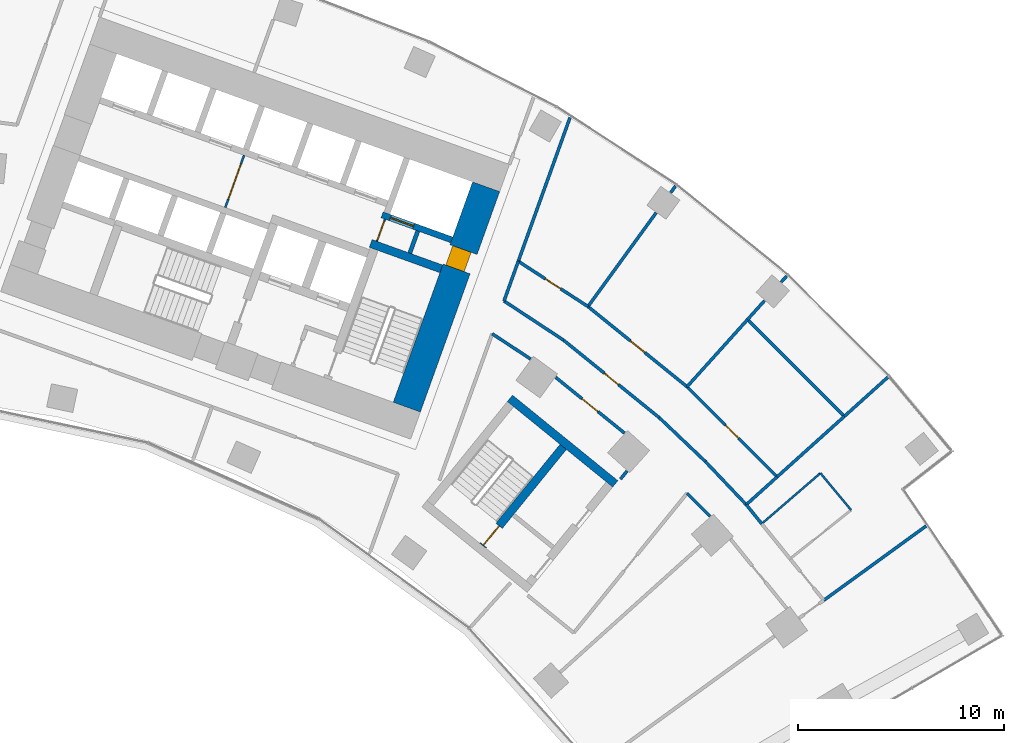
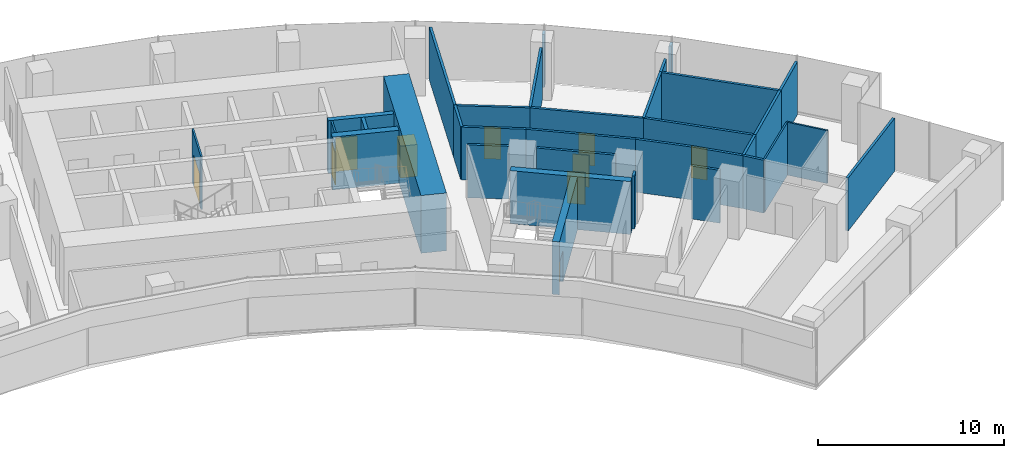
# One storey, part 17 of 20: 34 walls, 10 doors, 10 openings.
"""IFC4 building model written with IfcOpenShell, lengths in metres."""

from ifc_helpers import new_model, si_unit, direction, frame, frame_2d, origin, place, context, subcontext, project, spatial, rectangle, extrude, material, layer, layer_set, type_object, element, fill, save


model = new_model("IFC4")

# Units and contexts
model_context = context("Model", 3, precision=1e-05, world=origin(), true_north=direction((0.0, 1.0)))
body_context = subcontext(model_context, "Body", "Model", "MODEL_VIEW")
ifc_project = project(units=[si_unit("LENGTHUNIT", "METRE"), si_unit("AREAUNIT", "SQUARE_METRE"), si_unit("VOLUMEUNIT", "CUBIC_METRE"), si_unit("PLANEANGLEUNIT", "RADIAN"), si_unit("MASSUNIT", "GRAM", prefix="KILO")], contexts=[model_context])

# Site, building, storey
site_placement = place(None, origin())
site = spatial("IfcSite", under=ifc_project, at=site_placement, CompositionType="ELEMENT")
building_placement = place(site_placement, origin())
building = spatial("IfcBuilding", under=site, at=building_placement, Name="Stone Belt Terrace Tower", CompositionType="ELEMENT")
storey_placement = place(building_placement, frame((0.0, 0.0, 102.199951171875)))
storey = spatial("IfcBuildingStorey", under=building, at=storey_placement, Name="L24", CompositionType="ELEMENT", Elevation=102.199951171875)

# Wall, opening, door
ifc_material_1 = material(Name="Plasterboard partition")
ifc_layer_1 = layer(ifc_material_1, 0.10009765625)
ifc_layer_set_1 = layer_set([ifc_layer_1], Name="Core partition 100")
wall_type_1 = type_object("IfcWallType", Name="Core partition 100", PredefinedType="PARTITIONING", material=ifc_layer_set_1)
wall_1_placement = place(storey_placement, frame((24.555908203125, 51.10400390625, 0.0), z_axis=(0.0, 0.0, 1.0), x_axis=(0.338621735342, 0.94092258999, 0.0)))
wall_1 = element("IfcWall", 1, at=wall_1_placement, inside=storey, type_object=wall_type_1, Name="Core B wall", PredefinedType="PARTITIONING", context=body_context, shape_type="SweptSolid", body=[
    extrude(rectangle(XDim=1.14990234375, YDim=0.10009765625, at=frame_2d((0.574951171875, 0.0))), origin(), (0.0, 0.0, 1.0), 3.47998046875),
])
opening_1_placement = place(wall_1_placement, frame((0.050048828125, 0.0, 0.0)))
opening_1 = element("IfcOpeningElement", 2, at=opening_1_placement, cuts=wall_1, Name="Opening L24-C12", PredefinedType="OPENING", context=body_context, shape_type="SweptSolid", body=[
    extrude(rectangle(XDim=1.0, YDim=2.10009765625, at=frame_2d((0.5, 1.050048828125))), frame((0.0, 0.06005859375, 0.0), z_axis=(0.0, -1.0, 0.0), x_axis=(1.0, 0.0, 0.0)), (0.0, 0.0, 1.0), 0.1201171875),
])
ifc_material_2 = material(Name="Timber door leaf", Category="wood")
door_type_1 = type_object("IfcDoorType", Name="Core room door 1000", OperationType="SINGLE_SWING_LEFT", PredefinedType="DOOR", material=ifc_material_2)
door_1_placement = place(opening_1_placement, origin())
door_1 = element("IfcDoor", 3, at=door_1_placement, inside=storey, type_object=door_type_1, Name="Service lift lobby door core B", OperationType="SINGLE_SWING_RIGHT", OverallHeight=2.10009765625, OverallWidth=1.0, PredefinedType="DOOR", context=body_context, shape_type="SweptSolid", body=[
    extrude(rectangle(XDim=1.0, YDim=2.10009765625, at=frame_2d((0.5, 1.050048828125))), frame((0.0, 0.02490234375, 0.0), z_axis=(0.0, -1.0, 0.0), x_axis=(1.0, 0.0, 0.0)), (0.0, 0.0, 1.0), 0.050048828125),
])
fill(opening_1, door_1)

wall_2_placement = place(storey_placement, frame((17.17724609375, 52.749755859375, 0.0), z_axis=(0.0, 0.0, 1.0), x_axis=(0.338546555931, 0.940949642365, 0.0)))
wall_2 = element("IfcWall", 4, at=wall_2_placement, inside=storey, type_object=wall_type_1, Name="Core B wall", PredefinedType="PARTITIONING", context=body_context, shape_type="SweptSolid", body=[
    extrude(rectangle(XDim=2.699951171875, YDim=0.10009765625, at=frame_2d((1.35009765625, 0.0))), origin(), (0.0, 0.0, 1.0), 3.47998046875),
])
opening_2_placement = place(wall_2_placement, frame((0.449951171875, 0.0, 0.0)))
opening_2 = element("IfcOpeningElement", 5, at=opening_2_placement, cuts=wall_2, Name="Opening L24-C13", PredefinedType="OPENING", context=body_context, shape_type="SweptSolid", body=[
    extrude(rectangle(XDim=1.800048828125, YDim=2.10009765625, at=frame_2d((0.89990234375, 1.050048828125))), frame((0.0, 0.06005859375, 0.0), z_axis=(0.0, -1.0, 0.0), x_axis=(1.0, 0.0, 0.0)), (0.0, 0.0, 1.0), 0.1201171875),
])
ifc_material_3 = material(Name="Glazed aluminium door leaf", Category="aluminium")
door_type_2 = type_object("IfcDoorType", Name="Lift lobby entrance door 1800", OperationType="DOUBLE_DOOR_SINGLE_SWING", PredefinedType="DOOR", material=ifc_material_3)
door_2_placement = place(opening_2_placement, origin())
door_2 = element("IfcDoor", 6, at=door_2_placement, inside=storey, type_object=door_type_2, Name="Lift lobby double door core B", OperationType="DOUBLE_DOOR_SINGLE_SWING", OverallHeight=2.10009765625, OverallWidth=1.800048828125, PredefinedType="DOOR", context=body_context, shape_type="SweptSolid", body=[
    extrude(rectangle(XDim=1.800048828125, YDim=2.10009765625, at=frame_2d((0.89990234375, 1.050048828125))), frame((0.0, 0.02490234375, 0.0), z_axis=(0.0, -1.0, 0.0), x_axis=(1.0, 0.0, 0.0)), (0.0, 0.0, 1.0), 0.050048828125),
])
fill(opening_2, door_2)

ifc_material_4 = material(Name="Concrete B80", Category="concrete")
ifc_layer_2 = layer(ifc_material_4, 1.39990234375)
ifc_layer_set_2 = layer_set([ifc_layer_2], Name="Core wall 1400 B80")
wall_type_2 = type_object("IfcWallType", Name="Core wall 1400 B80", PredefinedType="SHEAR", material=ifc_layer_set_2)
wall_3_placement = place(storey_placement, frame((26.00927734375, 43.03515625, 0.0), z_axis=(0.0, 0.0, 1.0), x_axis=(0.338625431531, 0.940921259788, 0.0)))
wall_3 = element("IfcWall", 7, at=wall_3_placement, inside=storey, type_object=wall_type_2, Name="Core B wall end_b L24", PredefinedType="SHEAR", context=body_context, shape_type="SweptSolid", body=[
    extrude(rectangle(XDim=11.400146484375, YDim=1.39990234375, at=frame_2d((5.7001953125, 0.0))), origin(), (0.0, 0.0, 1.0), 3.800048828125),
])
opening_3_placement = place(wall_3_placement, frame((7.14990234375, 0.0, 0.0)))
opening_3 = element("IfcOpeningElement", 8, at=opening_3_placement, cuts=wall_3, Name="Opening L24-C11", PredefinedType="OPENING", context=body_context, shape_type="SweptSolid", body=[
    extrude(rectangle(XDim=1.0, YDim=2.10009765625, at=frame_2d((0.5, 1.050048828125))), frame((0.0, 0.7099609375, 0.0), z_axis=(0.0, -1.0, 0.0), x_axis=(1.0, 0.0, 0.0)), (0.0, 0.0, 1.0), 1.419921875),
])
door_3_placement = place(opening_3_placement, origin())
door_3 = element("IfcDoor", 9, at=door_3_placement, inside=storey, type_object=door_type_1, Name="Door to Telecommunications riser room core B", OperationType="SINGLE_SWING_LEFT", OverallHeight=2.10009765625, OverallWidth=1.0, PredefinedType="DOOR", context=body_context, shape_type="SweptSolid", body=[
    extrude(rectangle(XDim=1.0, YDim=2.10009765625, at=frame_2d((0.5, 1.050048828125))), frame((0.0, 0.55517578125, 0.0), z_axis=(0.0, -1.0, 0.0), x_axis=(1.0, 0.0, 0.0)), (0.0, 0.0, 1.0), 0.949951171875),
])
fill(opening_3, door_3)

ifc_layer_3 = layer(ifc_material_4, 0.300048828125)
ifc_layer_set_3 = layer_set([ifc_layer_3], Name="Lift shaft wall 300")
wall_type_3 = type_object("IfcWallType", Name="Lift shaft wall 300", PredefinedType="SHEAR", material=ifc_layer_set_3)
wall_4_placement = place(storey_placement, frame((28.195068359375, 51.17578125, 0.0), z_axis=(0.0, 0.0, 1.0), x_axis=(-0.940901243567, 0.338681044427, 0.0)))
wall_4 = element("IfcWall", 10, at=wall_4_placement, inside=storey, type_object=wall_type_3, Name="Core B wall", PredefinedType="SHEAR", context=body_context, shape_type="SweptSolid", body=[
    extrude(rectangle(XDim=3.599853515625, YDim=0.300048828125, at=frame_2d((1.7998046875, 0.0))), origin(), (0.0, 0.0, 1.0), 3.47998046875),
])
opening_4_placement = place(wall_4_placement, frame((1.969970703125, 0.0, 0.0)))
opening_4 = element("IfcOpeningElement", 11, at=opening_4_placement, cuts=wall_4, Name="Opening L24-LD18", PredefinedType="OPENING", context=body_context, shape_type="SweptSolid", body=[
    extrude(rectangle(XDim=1.199951171875, YDim=2.199951171875, at=frame_2d((0.60009765625, 1.10009765625))), frame((0.0, 0.159912109375, 0.0), z_axis=(0.0, -1.0, 0.0), x_axis=(1.0, 0.0, 0.0)), (0.0, 0.0, 1.0), 0.320068359375),
])
ifc_material_5 = material(Name="Stainless steel door leaf", Category="steel")
door_type_3 = type_object("IfcDoorType", Name="Landing door 1200", OperationType="SLIDING_TO_LEFT", PredefinedType="DOOR", material=ifc_material_5)
door_4_placement = place(opening_4_placement, origin())
door_4 = element("IfcDoor", 12, at=door_4_placement, inside=storey, type_object=door_type_3, Name="Landing door SV1 core B", OperationType="SLIDING_TO_LEFT", OverallHeight=2.199951171875, OverallWidth=1.199951171875, PredefinedType="DOOR", context=body_context, shape_type="SweptSolid", body=[
    extrude(rectangle(XDim=1.199951171875, YDim=2.199951171875, at=frame_2d((0.60009765625, 1.10009765625))), frame((0.0, 0.02490234375, 0.0), z_axis=(0.0, -1.0, 0.0), x_axis=(1.0, 0.0, 0.0)), (0.0, 0.0, 1.0), 0.050048828125),
])
fill(opening_4, door_4)

# Walls
ifc_material_6 = material(Name="Gypsum board partition")
ifc_layer_4 = layer(ifc_material_6, 0.10009765625)
ifc_layer_set_4 = layer_set([ifc_layer_4], Name="PARTITION 100")
wall_type_4 = type_object("IfcWallType", Name="PARTITION 100", PredefinedType="PARTITIONING", material=ifc_layer_set_4)
wall_5_placement = place(storey_placement, frame((47.6259765625, 38.029052734375, 0.0), z_axis=(0.0, 0.0, 1.0), x_axis=(-0.638805581323, 0.769368201364, 0.0)))
element("IfcWall", 13, at=wall_5_placement, inside=storey, type_object=wall_type_4, Name="L24/wall/i081", PredefinedType="PARTITIONING", context=body_context, shape_type="SweptSolid", body=[
    extrude(rectangle(XDim=2.33544921875, YDim=0.10009765625, at=frame_2d((1.167724609375, 0.0))), origin(), (0.0, 0.0, 1.0), 3.47998046875),
])
wall_6_placement = place(storey_placement, frame((46.134033203125, 39.825927734375, 0.0), z_axis=(0.0, 0.0, 1.0), x_axis=(-0.757058777307, -0.653346774464, 0.0)))
element("IfcWall", 14, at=wall_6_placement, inside=storey, type_object=wall_type_4, Name="L24/wall/i082", PredefinedType="PARTITIONING", context=body_context, shape_type="SweptSolid", body=[
    extrude(rectangle(XDim=3.771240234375, YDim=0.10009765625, at=frame_2d((1.8857421875, 0.0))), origin(), (0.0, 0.0, 1.0), 3.47998046875),
])
ifc_layer_5 = layer(ifc_material_6, 0.14990234375)
ifc_layer_set_5 = layer_set([ifc_layer_5], Name="PARTITION 150 EI 60")
wall_type_5 = type_object("IfcWallType", Name="PARTITION 150 EI 60", PredefinedType="PARTITIONING", material=ifc_layer_set_5)
wall_7_placement = place(storey_placement, frame((31.43603515625, 50.139892578125, 0.0), z_axis=(0.0, 0.0, 1.0), x_axis=(-0.338522672426, -0.940958235127, 0.0)))
element("IfcWall", 15, at=wall_7_placement, inside=storey, type_object=wall_type_5, Name="L24/wall/i022", PredefinedType="PARTITIONING", context=body_context, shape_type="SweptSolid", body=[
    extrude(rectangle(XDim=2.064697265625, YDim=0.14990234375, at=frame_2d((1.0322265625, 0.0))), origin(), (0.0, 0.0, 1.0), 3.47998046875),
])
wall_8_placement = place(storey_placement, frame((33.951904296875, 57.131103515625, 0.0), z_axis=(0.0, 0.0, 1.0), x_axis=(-0.338585885873, -0.940935490822, 0.0)))
element("IfcWall", 16, at=wall_8_placement, inside=storey, type_object=wall_type_5, Name="L24/wall/i023", PredefinedType="PARTITIONING", context=body_context, shape_type="SweptSolid", body=[
    extrude(rectangle(XDim=7.44287109375, YDim=0.14990234375, at=frame_2d((3.721435546875, 0.0))), origin(), (0.0, 0.0, 1.0), 3.47998046875),
])
wall_9_placement = place(storey_placement, frame((46.291015625, 33.632080078125, 0.0), z_axis=(0.0, 0.0, 1.0), x_axis=(0.809007988274, 0.587797647927, 0.0)))
element("IfcWall", 17, at=wall_9_placement, inside=storey, type_object=wall_type_5, Name="L24/wall/i052", PredefinedType="PARTITIONING", context=body_context, shape_type="SweptSolid", body=[
    extrude(rectangle(XDim=6.171630859375, YDim=0.14990234375, at=frame_2d((3.0859375, 0.0))), origin(), (0.0, 0.0, 1.0), 3.47998046875),
])

# Wall, opening, door
wall_10_placement = place(storey_placement, frame((36.599365234375, 41.77587890625, 0.0), z_axis=(0.0, 0.0, 1.0), x_axis=(-0.777153738144, 0.62931078752, 0.0)))
wall_10 = element("IfcWall", 18, at=wall_10_placement, inside=storey, type_object=wall_type_5, Name="L24/wall/i053", PredefinedType="PARTITIONING", context=body_context, shape_type="SweptSolid", body=[
    extrude(rectangle(XDim=4.30517578125, YDim=0.14990234375, at=frame_2d((2.152587890625, 0.0))), origin(), (0.0, 0.0, 1.0), 3.47998046875),
])
opening_5_placement = place(wall_10_placement, frame((1.652587890625, 0.0, 0.0)))
opening_5 = element("IfcOpeningElement", 19, at=opening_5_placement, cuts=wall_10, Name="Opening D-B3-17", PredefinedType="OPENING", context=body_context, shape_type="SweptSolid", body=[
    extrude(rectangle(XDim=1.0, YDim=2.10009765625, at=frame_2d((0.5, 1.050048828125))), frame((0.0, 0.0849609375, 0.0), z_axis=(0.0, -1.0, 0.0), x_axis=(1.0, 0.0, 0.0)), (0.0, 0.0, 1.0), 0.169921875),
])
ifc_material_7 = material(Name="Timber fire door leaf", Category="wood")
door_type_4 = type_object("IfcDoorType", Name="TENANCY ENTRANCE DOOR 1000 X 2100", OperationType="NOTDEFINED", PredefinedType="DOOR", material=ifc_material_7)
door_5_placement = place(opening_5_placement, origin())
door_5 = element("IfcDoor", 20, at=door_5_placement, inside=storey, type_object=door_type_4, Name="L24/door/i17", OperationType="SINGLE_SWING_RIGHT", OverallHeight=2.10009765625, OverallWidth=1.0, PredefinedType="DOOR", context=body_context, shape_type="SweptSolid", body=[
    extrude(rectangle(XDim=1.0, YDim=2.10009765625, at=frame_2d((0.5, 1.050048828125))), frame((0.0, 0.02490234375, 0.0), z_axis=(0.0, -1.0, 0.0), x_axis=(1.0, 0.0, 0.0)), (0.0, 0.0, 1.0), 0.050048828125),
])
fill(opening_5, door_5)

# Walls
wall_11_placement = place(storey_placement, frame((32.03466796875, 45.37646484375, 0.0), z_axis=(0.0, 0.0, 1.0), x_axis=(-0.835456606052, 0.549556420583, 0.0)))
element("IfcWall", 21, at=wall_11_placement, inside=storey, type_object=wall_type_5, Name="L24/wall/i054", PredefinedType="PARTITIONING", context=body_context, shape_type="SweptSolid", body=[
    extrude(rectangle(XDim=2.239013671875, YDim=0.14990234375, at=frame_2d((1.11962890625, 0.0))), origin(), (0.0, 0.0, 1.0), 3.47998046875),
])
wall_12_placement = place(storey_placement, frame((30.739013671875, 48.202880859375, 0.0), z_axis=(0.0, 0.0, 1.0), x_axis=(0.835274160171, -0.549833681535, 0.0)))
element("IfcWall", 22, at=wall_12_placement, inside=storey, type_object=wall_type_5, Name="L24/wall/i055", PredefinedType="PARTITIONING", context=body_context, shape_type="SweptSolid", body=[
    extrude(rectangle(XDim=3.46826171875, YDim=0.14990234375, at=frame_2d((1.734130859375, 0.0))), origin(), (0.0, 0.0, 1.0), 3.47998046875),
])

# Wall, opening, door
wall_13_placement = place(storey_placement, frame((33.635986328125, 46.2958984375, 0.0), z_axis=(0.0, 0.0, 1.0), x_axis=(0.777109127033, -0.629365875054, 0.0)))
wall_13 = element("IfcWall", 23, at=wall_13_placement, inside=storey, type_object=wall_type_5, Name="L24/wall/i056", PredefinedType="PARTITIONING", context=body_context, shape_type="SweptSolid", body=[
    extrude(rectangle(XDim=5.990234375, YDim=0.14990234375, at=frame_2d((2.9951171875, 0.0))), origin(), (0.0, 0.0, 1.0), 3.47998046875),
])
opening_6_placement = place(wall_13_placement, frame((2.545166015625, 0.0, 0.0)))
opening_6 = element("IfcOpeningElement", 24, at=opening_6_placement, cuts=wall_13, Name="Opening D-B3-20", PredefinedType="OPENING", context=body_context, shape_type="SweptSolid", body=[
    extrude(rectangle(XDim=0.89990234375, YDim=2.10009765625, at=frame_2d((0.449951171875, 1.050048828125))), frame((0.0, 0.0849609375, 0.0), z_axis=(0.0, -1.0, 0.0), x_axis=(1.0, 0.0, 0.0)), (0.0, 0.0, 1.0), 0.169921875),
])
door_type_5 = type_object("IfcDoorType", Name="OFFICE DOOR 900 X 2100", OperationType="NOTDEFINED", PredefinedType="DOOR", material=ifc_material_2)
door_6_placement = place(opening_6_placement, origin())
door_6 = element("IfcDoor", 25, at=door_6_placement, inside=storey, type_object=door_type_5, Name="L24/door/i20", OperationType="SINGLE_SWING_RIGHT", OverallHeight=2.10009765625, OverallWidth=0.89990234375, PredefinedType="DOOR", context=body_context, shape_type="SweptSolid", body=[
    extrude(rectangle(XDim=0.89990234375, YDim=2.10009765625, at=frame_2d((0.449951171875, 1.050048828125))), frame((0.0, 0.02490234375, 0.0), z_axis=(0.0, -1.0, 0.0), x_axis=(1.0, 0.0, 0.0)), (0.0, 0.0, 1.0), 0.050048828125),
])
fill(opening_6, door_6)

# Walls
wall_14_placement = place(storey_placement, frame((38.291015625, 42.52587890625, 0.0), z_axis=(0.0, 0.0, 1.0), x_axis=(0.724835843729, -0.688921620829, 0.0)))
element("IfcWall", 26, at=wall_14_placement, inside=storey, type_object=wall_type_5, Name="L24/wall/i057", PredefinedType="PARTITIONING", context=body_context, shape_type="SweptSolid", body=[
    extrude(rectangle(XDim=3.093017578125, YDim=0.14990234375, at=frame_2d((1.54638671875, 0.0))), origin(), (0.0, 0.0, 1.0), 3.47998046875),
])
wall_15_placement = place(storey_placement, frame((40.765625, 37.721435546875, 0.0), z_axis=(0.0, 0.0, 1.0), x_axis=(-0.707106781187, 0.707106781187, 0.0)))
element("IfcWall", 27, at=wall_15_placement, inside=storey, type_object=wall_type_5, Name="L24/wall/i058", PredefinedType="PARTITIONING", context=body_context, shape_type="SweptSolid", body=[
    extrude(rectangle(XDim=1.587646484375, YDim=0.14990234375, at=frame_2d((0.7939453125, 0.0))), origin(), (0.0, 0.0, 1.0), 3.47998046875),
])
wall_16_placement = place(storey_placement, frame((40.532958984375, 40.39501953125, 0.0), z_axis=(0.0, 0.0, 1.0), x_axis=(0.687681554755, -0.726012451167, 0.0)))
element("IfcWall", 28, at=wall_16_placement, inside=storey, type_object=wall_type_5, Name="L24/wall/i060", PredefinedType="PARTITIONING", context=body_context, shape_type="SweptSolid", body=[
    extrude(rectangle(XDim=2.89794921875, YDim=0.14990234375, at=frame_2d((1.448974609375, 0.0))), origin(), (0.0, 0.0, 1.0), 3.47998046875),
])
wall_17_placement = place(storey_placement, frame((42.527099609375, 38.2900390625, 0.0), z_axis=(0.0, 0.0, 1.0), x_axis=(0.628952429946, -0.777443786305, 0.0)))
element("IfcWall", 29, at=wall_17_placement, inside=storey, type_object=wall_type_5, Name="L24/wall/i061", PredefinedType="PARTITIONING", context=body_context, shape_type="SweptSolid", body=[
    extrude(rectangle(XDim=1.2001953125, YDim=0.14990234375, at=frame_2d((0.60009765625, 0.0))), origin(), (0.0, 0.0, 1.0), 3.47998046875),
])
wall_18_placement = place(storey_placement, frame((36.406005859375, 39.537109375, 0.0), z_axis=(0.0, 0.0, 1.0), x_axis=(0.630355285391, 0.776306778393, 0.0)))
element("IfcWall", 30, at=wall_18_placement, inside=storey, type_object=wall_type_5, Name="L24/wall/i064", PredefinedType="PARTITIONING", context=body_context, shape_type="SweptSolid", body=[
    extrude(rectangle(XDim=0.50341796875, YDim=0.14990234375, at=frame_2d((0.251708984375, 0.0))), origin(), (0.0, 0.0, 1.0), 3.47998046875),
])

# Wall, opening, door
wall_19_placement = place(storey_placement, frame((31.43408203125, 50.134033203125, 0.0), z_axis=(0.0, 0.0, 1.0), x_axis=(0.838660143757, -0.544655086521, 0.0)))
wall_19 = element("IfcWall", 31, at=wall_19_placement, inside=storey, type_object=wall_type_5, Name="L24/wall/i068", PredefinedType="PARTITIONING", context=body_context, shape_type="SweptSolid", body=[
    extrude(rectangle(XDim=4.043212890625, YDim=0.14990234375, at=frame_2d((2.021484375, 0.0))), origin(), (0.0, 0.0, 1.0), 3.47998046875),
])
opening_7_placement = place(wall_19_placement, frame((1.571533203125, 0.0, 0.0)))
opening_7 = element("IfcOpeningElement", 32, at=opening_7_placement, cuts=wall_19, Name="Opening D-B3-21", PredefinedType="OPENING", context=body_context, shape_type="SweptSolid", body=[
    extrude(rectangle(XDim=0.89990234375, YDim=2.10009765625, at=frame_2d((0.449951171875, 1.050048828125))), frame((0.0, 0.0849609375, 0.0), z_axis=(0.0, -1.0, 0.0), x_axis=(1.0, 0.0, 0.0)), (0.0, 0.0, 1.0), 0.169921875),
])
door_7_placement = place(opening_7_placement, origin())
door_7 = element("IfcDoor", 33, at=door_7_placement, inside=storey, type_object=door_type_5, Name="L24/door/i21", OperationType="SINGLE_SWING_RIGHT", OverallHeight=2.10009765625, OverallWidth=0.89990234375, PredefinedType="DOOR", context=body_context, shape_type="SweptSolid", body=[
    extrude(rectangle(XDim=0.89990234375, YDim=2.10009765625, at=frame_2d((0.449951171875, 1.050048828125))), frame((0.0, 0.02490234375, 0.0), z_axis=(0.0, -1.0, 0.0), x_axis=(1.0, 0.0, 0.0)), (0.0, 0.0, 1.0), 0.050048828125),
])
fill(opening_7, door_7)

wall_20_placement = place(storey_placement, frame((34.824951171875, 47.931884765625, 0.0), z_axis=(0.0, 0.0, 1.0), x_axis=(0.777190769916, -0.629265053184, 0.0)))
wall_20 = element("IfcWall", 34, at=wall_20_placement, inside=storey, type_object=wall_type_5, Name="L24/wall/i069", PredefinedType="PARTITIONING", context=body_context, shape_type="SweptSolid", body=[
    extrude(rectangle(XDim=6.20068359375, YDim=0.14990234375, at=frame_2d((3.100341796875, 0.0))), origin(), (0.0, 0.0, 1.0), 3.47998046875),
])
opening_8_placement = place(wall_20_placement, frame((2.650390625, 0.0, 0.0)))
opening_8 = element("IfcOpeningElement", 35, at=opening_8_placement, cuts=wall_20, Name="Opening D-B3-22", PredefinedType="OPENING", context=body_context, shape_type="SweptSolid", body=[
    extrude(rectangle(XDim=0.89990234375, YDim=2.10009765625, at=frame_2d((0.449951171875, 1.050048828125))), frame((0.0, 0.0849609375, 0.0), z_axis=(0.0, -1.0, 0.0), x_axis=(1.0, 0.0, 0.0)), (0.0, 0.0, 1.0), 0.169921875),
])
door_8_placement = place(opening_8_placement, origin())
door_8 = element("IfcDoor", 36, at=door_8_placement, inside=storey, type_object=door_type_5, Name="L24/door/i22", OperationType="SINGLE_SWING_RIGHT", OverallHeight=2.10009765625, OverallWidth=0.89990234375, PredefinedType="DOOR", context=body_context, shape_type="SweptSolid", body=[
    extrude(rectangle(XDim=0.89990234375, YDim=2.10009765625, at=frame_2d((0.449951171875, 1.050048828125))), frame((0.0, 0.02490234375, 0.0), z_axis=(0.0, -1.0, 0.0), x_axis=(1.0, 0.0, 0.0)), (0.0, 0.0, 1.0), 0.050048828125),
])
fill(opening_8, door_8)

wall_21_placement = place(storey_placement, frame((39.639892578125, 44.033935546875, 0.0), z_axis=(0.0, 0.0, 1.0), x_axis=(0.707126447351, -0.707087114475, 0.0)))
wall_21 = element("IfcWall", 37, at=wall_21_placement, inside=storey, type_object=wall_type_5, Name="L24/wall/i070", PredefinedType="PARTITIONING", context=body_context, shape_type="SweptSolid", body=[
    extrude(rectangle(XDim=6.20703125, YDim=0.14990234375, at=frame_2d((3.103515625, 0.0))), origin(), (0.0, 0.0, 1.0), 3.47998046875),
])
opening_9_placement = place(wall_21_placement, frame((2.653564453125, 0.0, 0.0)))
opening_9 = element("IfcOpeningElement", 38, at=opening_9_placement, cuts=wall_21, Name="Opening D-B3-23", PredefinedType="OPENING", context=body_context, shape_type="SweptSolid", body=[
    extrude(rectangle(XDim=0.89990234375, YDim=2.10009765625, at=frame_2d((0.449951171875, 1.050048828125))), frame((0.0, 0.0849609375, 0.0), z_axis=(0.0, -1.0, 0.0), x_axis=(1.0, 0.0, 0.0)), (0.0, 0.0, 1.0), 0.169921875),
])
door_9_placement = place(opening_9_placement, origin())
door_9 = element("IfcDoor", 39, at=door_9_placement, inside=storey, type_object=door_type_5, Name="L24/door/i23", OperationType="SINGLE_SWING_RIGHT", OverallHeight=2.10009765625, OverallWidth=0.89990234375, PredefinedType="DOOR", context=body_context, shape_type="SweptSolid", body=[
    extrude(rectangle(XDim=0.89990234375, YDim=2.10009765625, at=frame_2d((0.449951171875, 1.050048828125))), frame((0.0, 0.02490234375, 0.0), z_axis=(0.0, -1.0, 0.0), x_axis=(1.0, 0.0, 0.0)), (0.0, 0.0, 1.0), 0.050048828125),
])
fill(opening_9, door_9)

# Walls
wall_22_placement = place(storey_placement, frame((44.029052734375, 39.64501953125, 0.0), z_axis=(0.0, 0.0, 1.0), x_axis=(-0.743012054614, -0.669278033927, 0.0)))
element("IfcWall", 40, at=wall_22_placement, inside=storey, type_object=wall_type_5, Name="L24/wall/i071", PredefinedType="PARTITIONING", context=body_context, shape_type="SweptSolid", body=[
    extrude(rectangle(XDim=2.023193359375, YDim=0.14990234375, at=frame_2d((1.01171875, 0.0))), origin(), (0.0, 0.0, 1.0), 3.47998046875),
])
wall_23_placement = place(storey_placement, frame((39.087890625, 53.7998046875, 0.0), z_axis=(0.0, 0.0, 1.0), x_axis=(-0.588207421816, -0.808710101904, 0.0)))
element("IfcWall", 41, at=wall_23_placement, inside=storey, type_object=wall_type_5, Name="L24/wall/i072", PredefinedType="PARTITIONING", context=body_context, shape_type="SweptSolid", body=[
    extrude(rectangle(XDim=0.40625, YDim=0.14990234375, at=frame_2d((0.203125, 0.0))), origin(), (0.0, 0.0, 1.0), 3.47998046875),
])
wall_24_placement = place(storey_placement, frame((38.1376953125, 52.4921875, 0.0), z_axis=(0.0, 0.0, 1.0), x_axis=(-0.587726060758, -0.809059996234, 0.0)))
element("IfcWall", 42, at=wall_24_placement, inside=storey, type_object=wall_type_5, Name="L24/wall/i073", PredefinedType="PARTITIONING", context=body_context, shape_type="SweptSolid", body=[
    extrude(rectangle(XDim=5.636474609375, YDim=0.14990234375, at=frame_2d((2.818359375, 0.0))), origin(), (0.0, 0.0, 1.0), 3.47998046875),
])
wall_25_placement = place(storey_placement, frame((42.592041015625, 47.303955078125, 0.0), z_axis=(0.0, 0.0, 1.0), x_axis=(-0.669148410698, -0.743128793992, 0.0)))
element("IfcWall", 43, at=wall_25_placement, inside=storey, type_object=wall_type_5, Name="L24/wall/i074", PredefinedType="PARTITIONING", context=body_context, shape_type="SweptSolid", body=[
    extrude(rectangle(XDim=4.405517578125, YDim=0.14990234375, at=frame_2d((2.20263671875, 0.0))), origin(), (0.0, 0.0, 1.0), 3.47998046875),
])
wall_26_placement = place(storey_placement, frame((44.496826171875, 49.419189453125, 0.0), z_axis=(0.0, 0.0, 1.0), x_axis=(-0.669463057056, -0.742845350821, 0.0)))
element("IfcWall", 44, at=wall_26_placement, inside=storey, type_object=wall_type_5, Name="L24/wall/i075", PredefinedType="PARTITIONING", context=body_context, shape_type="SweptSolid", body=[
    extrude(rectangle(XDim=0.406005859375, YDim=0.14990234375, at=frame_2d((0.203125, 0.0))), origin(), (0.0, 0.0, 1.0), 3.47998046875),
])
wall_27_placement = place(storey_placement, frame((43.415283203125, 48.218505859375, 0.0), z_axis=(0.0, 0.0, 1.0), x_axis=(-0.669388214241, -0.742912793426, 0.0)))
element("IfcWall", 45, at=wall_27_placement, inside=storey, type_object=wall_type_5, Name="L24/wall/i076", PredefinedType="PARTITIONING", context=body_context, shape_type="SweptSolid", body=[
    extrude(rectangle(XDim=1.241943359375, YDim=0.14990234375, at=frame_2d((0.62109375, 0.0))), origin(), (0.0, 0.0, 1.0), 3.47998046875),
])
wall_28_placement = place(storey_placement, frame((42.587890625, 47.300048828125, 0.0), z_axis=(0.0, 0.0, 1.0), x_axis=(0.7071251031, -0.707088458798, 0.0)))
element("IfcWall", 46, at=wall_28_placement, inside=storey, type_object=wall_type_5, Name="L24/wall/i077", PredefinedType="PARTITIONING", context=body_context, shape_type="SweptSolid", body=[
    extrude(rectangle(XDim=6.662353515625, YDim=0.14990234375, at=frame_2d((3.3310546875, 0.0))), origin(), (0.0, 0.0, 1.0), 3.47998046875),
])
wall_29_placement = place(storey_placement, frame((47.299072265625, 42.589111328125, 0.0), z_axis=(0.0, 0.0, 1.0), x_axis=(-0.743172740326, -0.669099602478, 0.0)))
element("IfcWall", 47, at=wall_29_placement, inside=storey, type_object=wall_type_5, Name="L24/wall/i078", PredefinedType="PARTITIONING", context=body_context, shape_type="SweptSolid", body=[
    extrude(rectangle(XDim=4.400146484375, YDim=0.14990234375, at=frame_2d((2.2001953125, 0.0))), origin(), (0.0, 0.0, 1.0), 3.47998046875),
])
wall_30_placement = place(storey_placement, frame((49.41943359375, 44.496826171875, 0.0), z_axis=(0.0, 0.0, 1.0), x_axis=(-0.743400540609, -0.668846496755, 0.0)))
element("IfcWall", 48, at=wall_30_placement, inside=storey, type_object=wall_type_5, Name="L24/wall/i079", PredefinedType="PARTITIONING", context=body_context, shape_type="SweptSolid", body=[
    extrude(rectangle(XDim=2.852294921875, YDim=0.14990234375, at=frame_2d((1.42626953125, 0.0))), origin(), (0.0, 0.0, 1.0), 3.47998046875),
])
ifc_material_8 = material(Name="Concrete masonry block", Category="masonry")
ifc_layer_6 = layer(ifc_material_8, 0.199951171875)
ifc_layer_set_6 = layer_set([ifc_layer_6], Name="Rated lobby wall 200")
wall_type_6 = type_object("IfcWallType", Name="Rated lobby wall 200", PredefinedType="PARTITIONING", material=ifc_layer_set_6)
wall_31_placement = place(storey_placement, frame((26.1552734375, 50.5283203125, 0.0), z_axis=(0.0, 0.0, 1.0), x_axis=(0.338621735342, 0.94092258999, 0.0)))
element("IfcWall", 49, at=wall_31_placement, inside=storey, type_object=wall_type_6, Name="Core B wall", PredefinedType="PARTITIONING", context=body_context, shape_type="SweptSolid", body=[
    extrude(rectangle(XDim=1.14990234375, YDim=0.199951171875, at=frame_2d((0.574951171875, 0.0))), origin(), (0.0, 0.0, 1.0), 3.47998046875),
])
ifc_layer_7 = layer(ifc_material_4, 0.39990234375)
ifc_layer_set_7 = layer_set([ifc_layer_7], Name="Stair enclosure wall 400")
wall_type_7 = type_object("IfcWallType", Name="Stair enclosure wall 400", PredefinedType="SHEAR", material=ifc_layer_set_7)
wall_32_placement = place(storey_placement, frame((27.687255859375, 49.764404296875, 0.0), z_axis=(0.0, 0.0, 1.0), x_axis=(-0.940918954884, 0.338631835981, 0.0)))
element("IfcWall", 50, at=wall_32_placement, inside=storey, type_object=wall_type_7, Name="Core B wall", PredefinedType="SHEAR", context=body_context, shape_type="SweptSolid", body=[
    extrude(rectangle(XDim=3.650146484375, YDim=0.39990234375, at=frame_2d((1.8251953125, 0.0))), origin(), (0.0, 0.0, 1.0), 3.47998046875),
])
wall_33_placement = place(storey_placement, frame((31.02783203125, 43.46337890625, 0.0), z_axis=(0.0, 0.0, 1.0), x_axis=(0.776413760801, -0.630223509589, 0.0)))
element("IfcWall", 51, at=wall_33_placement, inside=storey, type_object=wall_type_7, Name="Exit stair ST3B wall", PredefinedType="SHEAR", context=body_context, shape_type="SweptSolid", body=[
    extrude(rectangle(XDim=6.599853515625, YDim=0.39990234375, at=frame_2d((3.2998046875, 0.0))), origin(), (0.0, 0.0, 1.0), 3.47998046875),
])

# Wall, opening, door
wall_34_placement = place(storey_placement, frame((29.7119140625, 36.288330078125, 0.0), z_axis=(0.0, 0.0, 1.0), x_axis=(0.630192283849, 0.776439106033, 0.0)))
wall_34 = element("IfcWall", 52, at=wall_34_placement, inside=storey, type_object=wall_type_7, Name="Exit stair ST3B wall", PredefinedType="SHEAR", context=body_context, shape_type="SweptSolid", body=[
    extrude(rectangle(XDim=6.199951171875, YDim=0.39990234375, at=frame_2d((3.10009765625, 0.0))), origin(), (0.0, 0.0, 1.0), 3.47998046875),
])
opening_10_placement = place(wall_34_placement, frame((0.050048828125, 0.0, 0.0)))
opening_10 = element("IfcOpeningElement", 53, at=opening_10_placement, cuts=wall_34, Name="Opening L24-C24", PredefinedType="OPENING", context=body_context, shape_type="SweptSolid", body=[
    extrude(rectangle(XDim=1.199951171875, YDim=2.10009765625, at=frame_2d((0.60009765625, 1.050048828125))), frame((0.0, 0.2099609375, 0.0), z_axis=(0.0, -1.0, 0.0), x_axis=(1.0, 0.0, 0.0)), (0.0, 0.0, 1.0), 0.419921875),
])
ifc_material_9 = material(Name="Steel door leaf", Category="steel")
door_type_6 = type_object("IfcDoorType", Name="Stair door 1200", OperationType="SINGLE_SWING_LEFT", PredefinedType="DOOR", material=ifc_material_9)
door_10_placement = place(opening_10_placement, origin())
door_10 = element("IfcDoor", 54, at=door_10_placement, inside=storey, type_object=door_type_6, Name="Stair door ST3B", OperationType="SINGLE_SWING_RIGHT", OverallHeight=2.10009765625, OverallWidth=1.199951171875, PredefinedType="DOOR", context=body_context, shape_type="SweptSolid", body=[
    extrude(rectangle(XDim=1.199951171875, YDim=2.10009765625, at=frame_2d((0.60009765625, 1.050048828125))), frame((0.0, 0.02490234375, 0.0), z_axis=(0.0, -1.0, 0.0), x_axis=(1.0, 0.0, 0.0)), (0.0, 0.0, 1.0), 0.050048828125),
])
fill(opening_10, door_10)

save(model, "model.ifc")
